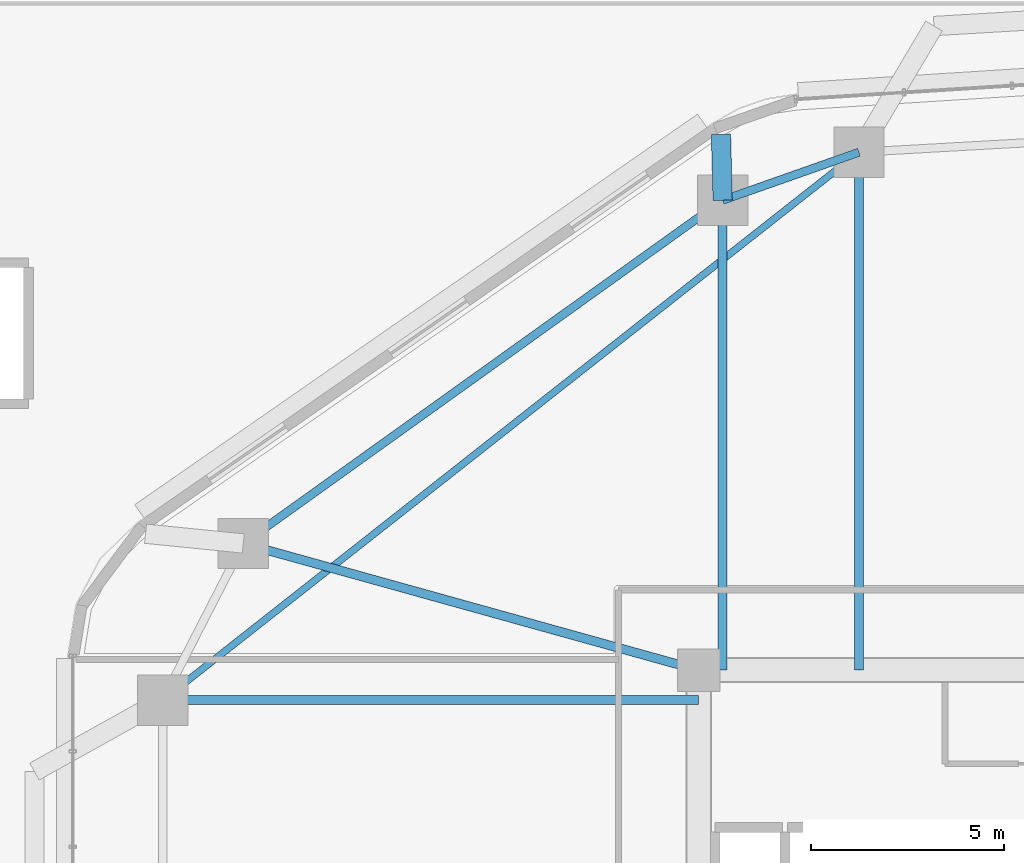
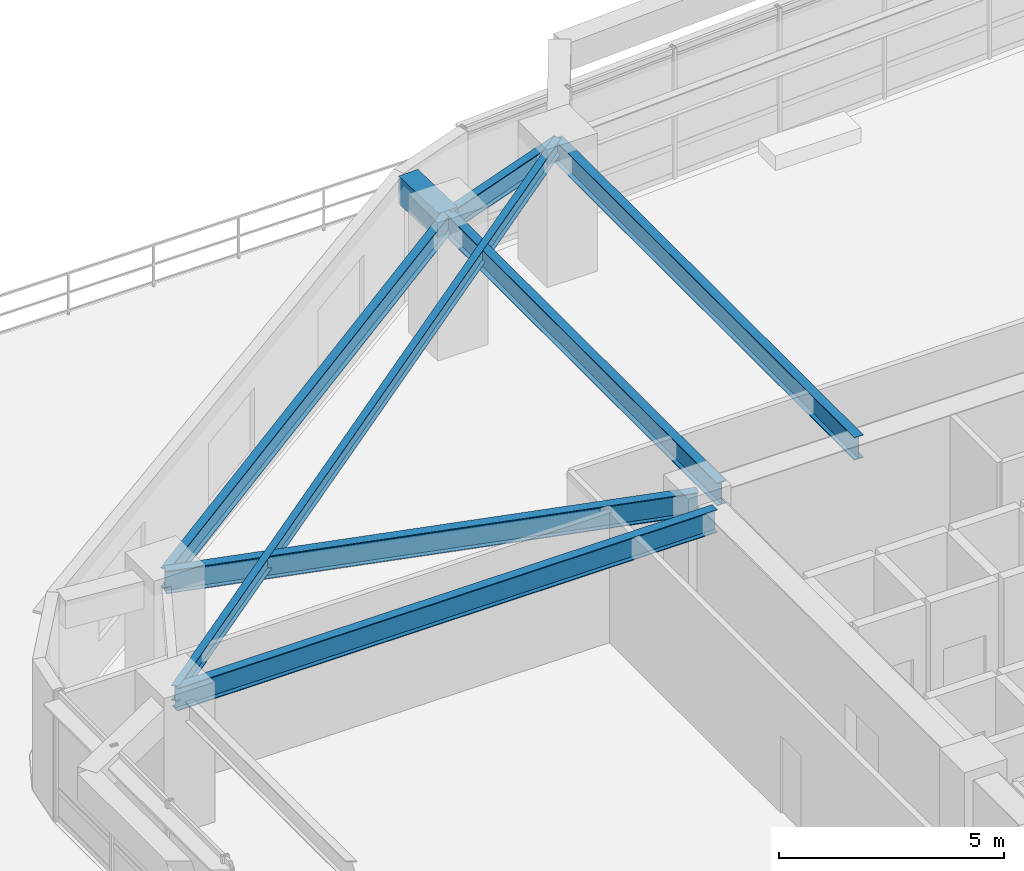
# One storey, part 7 of 20: 8 beams.
"""IFC4 building model written with IfcOpenShell, lengths in metres."""

from ifc_helpers import new_model, si_unit, direction, frame, origin, origin_2d, place, context, subcontext, project, spatial, rectangle, i_section, extrude, material, material_profile, profile_set, type_object, element, save


model = new_model("IFC4")

# Units and contexts
model_context = context("Model", 3, precision=1e-05, world=origin(), true_north=direction((0.0, 1.0)))
body_context = subcontext(model_context, "Body", "Model", "MODEL_VIEW")
ifc_project = project(units=[si_unit("LENGTHUNIT", "METRE"), si_unit("AREAUNIT", "SQUARE_METRE"), si_unit("VOLUMEUNIT", "CUBIC_METRE"), si_unit("PLANEANGLEUNIT", "RADIAN"), si_unit("MASSUNIT", "GRAM", prefix="KILO")], contexts=[model_context])

# Site, building, storey
site_placement = place(None, origin())
site = spatial("IfcSite", under=ifc_project, at=site_placement, CompositionType="ELEMENT")
building_placement = place(site_placement, origin())
building = spatial("IfcBuilding", under=site, at=building_placement, Name="Zulverin Broadcast Headquarters", CompositionType="ELEMENT")
storey_placement = place(building_placement, frame((0.0, 0.0, 25.0)))
storey = spatial("IfcBuildingStorey", under=building, at=storey_placement, Name="L05", CompositionType="ELEMENT", Elevation=25.0)

# Beams
ifc_material_1 = material(Name="Concrete C40/50", Category="concrete")
ifc_material_profile_1 = material_profile(ifc_material_1, rectangle(XDim=0.5, YDim=0.75, at=origin_2d()), Name="Concrete C40/50", Category="concrete")
ifc_profile_set_1 = profile_set([ifc_material_profile_1], Name="Concrete C40/50")
beam_type_1 = type_object("IfcBeamType", Name="BM-RC-500x750", PredefinedType="BEAM", material=ifc_profile_set_1)
beam_1_placement = place(storey_placement, frame((26.344482421875, 45.23828125, 3.14990234375), z_axis=(-0.025024345209, 0.999686842039, 0.0), x_axis=(-0.999686842039, -0.025024345209, 0.0)))
element("IfcBeam", 1, at=beam_1_placement, inside=storey, type_object=beam_type_1, Name="L06 Plate Overhang Back-Spanned Beam OVR-11", PredefinedType="BEAM", context=body_context, shape_type="SweptSolid", body=[
    extrude(rectangle(XDim=0.5, YDim=0.75, at=origin_2d()), origin(), (0.0, 0.0, 1.0), 1.707275390625),
])
ifc_material_2 = material(Name="Structural steel S355JR", Category="steel")
ifc_material_profile_2 = material_profile(ifc_material_2, i_section(OverallWidth=0.179443359375, OverallDepth=0.412841796875, WebThickness=0.009521484375, FlangeThickness=0.01611328125, at=origin_2d()), Name="Structural steel S355JR", Category="steel")
ifc_profile_set_2 = profile_set([ifc_material_profile_2], Name="Structural steel S355JR")
beam_type_2 = type_object("IfcBeamType", Name="BM-UB-406", PredefinedType="JOIST", material=ifc_profile_set_2)
beam_2_placement = place(storey_placement, frame((29.873779296875, 46.482177734375, 3.318603515625), z_axis=(-0.78583902739, -0.618431098047, 0.0), x_axis=(0.618431098047, -0.78583902739, 0.0)))
element("IfcBeam", 2, at=beam_2_placement, inside=storey, type_object=beam_type_2, Name="L05 Chordal Floor Joist J-03", PredefinedType="JOIST", context=body_context, shape_type="SweptSolid", body=[
    extrude(i_section(OverallWidth=0.179443359375, OverallDepth=0.412841796875, WebThickness=0.009521484375, FlangeThickness=0.01611328125, at=origin_2d()), origin(), (0.0, 0.0, 1.0), 22.935546875),
])
ifc_material_profile_3 = material_profile(ifc_material_2, i_section(OverallWidth=0.2119140625, OverallDepth=0.54443359375, WebThickness=0.0126953125, FlangeThickness=0.021240234375, at=origin_2d()), Name="Structural steel S355JR", Category="steel")
ifc_profile_set_3 = profile_set([ifc_material_profile_3], Name="Structural steel S355JR")
beam_type_3 = type_object("IfcBeamType", Name="BM-UB-533", PredefinedType="SPANDREL", material=ifc_profile_set_3)
beam_3_placement = place(storey_placement, frame((29.873779296875, 46.482177734375, 3.252685546875), z_axis=(-0.943135983398, -0.332407155189, 0.0), x_axis=(0.332407155189, -0.943135983398, 0.0)))
element("IfcBeam", 3, at=beam_3_placement, inside=storey, type_object=beam_type_3, Name="L05 Perimeter Spandrel Beam SP-10", PredefinedType="SPANDREL", context=body_context, shape_type="SweptSolid", body=[
    extrude(i_section(OverallWidth=0.2119140625, OverallDepth=0.54443359375, WebThickness=0.0126953125, FlangeThickness=0.021240234375, at=origin_2d()), origin(), (0.0, 0.0, 1.0), 3.7421875),
])
beam_4_placement = place(storey_placement, frame((26.344482421875, 45.23828125, 3.252685546875), z_axis=(-0.813109374453, -0.582110938891, 0.0), x_axis=(0.582110938891, -0.813109374453, 0.0)))
element("IfcBeam", 4, at=beam_4_placement, inside=storey, type_object=beam_type_3, Name="L05 Perimeter Spandrel Beam SP-11", PredefinedType="SPANDREL", context=body_context, shape_type="SweptSolid", body=[
    extrude(i_section(OverallWidth=0.2119140625, OverallDepth=0.54443359375, WebThickness=0.0126953125, FlangeThickness=0.021240234375, at=origin_2d()), origin(), (0.0, 0.0, 1.0), 15.2626953125),
])
ifc_material_profile_4 = material_profile(ifc_material_2, i_section(OverallWidth=0.230224609375, OverallDepth=0.6171875, WebThickness=0.01318359375, FlangeThickness=0.022216796875, at=origin_2d()), Name="Structural steel S355JR", Category="steel")
ifc_profile_set_4 = profile_set([ifc_material_profile_4], Name="Structural steel S355JR")
beam_type_4 = type_object("IfcBeamType", Name="BM-UB-610", PredefinedType="BEAM", material=ifc_profile_set_4)
beam_5_placement = place(storey_placement, frame((29.873779296875, 33.074951171875, 3.21630859375), z_axis=(0.0, 1.0, 0.0), x_axis=(-1.0, 0.0, 0.0)))
element("IfcBeam", 5, at=beam_5_placement, inside=storey, type_object=beam_type_4, Name="L05 Radial Primary Floor Beam RB-10", PredefinedType="BEAM", context=body_context, shape_type="SweptSolid", body=[
    extrude(i_section(OverallWidth=0.230224609375, OverallDepth=0.6171875, WebThickness=0.01318359375, FlangeThickness=0.022216796875, at=origin_2d()), origin(), (0.0, 0.0, 1.0), 13.4072265625),
])
beam_6_placement = place(storey_placement, frame((26.344482421875, 33.074951171875, 3.21630859375), z_axis=(0.0, 1.0, 0.0), x_axis=(-1.0, 0.0, 0.0)))
element("IfcBeam", 6, at=beam_6_placement, inside=storey, type_object=beam_type_4, Name="L05 Radial Primary Floor Beam RB-11", PredefinedType="BEAM", context=body_context, shape_type="SweptSolid", body=[
    extrude(i_section(OverallWidth=0.230224609375, OverallDepth=0.6171875, WebThickness=0.01318359375, FlangeThickness=0.022216796875, at=origin_2d()), origin(), (0.0, 0.0, 1.0), 12.163330078125),
])
beam_7_placement = place(storey_placement, frame((25.72509765625, 33.074951171875, 3.21630859375), z_axis=(-0.963442133037, 0.267916509922, 0.0), x_axis=(-0.267916509922, -0.963442133037, 0.0)))
element("IfcBeam", 7, at=beam_7_placement, inside=storey, type_object=beam_type_4, Name="L05 Radial Primary Floor Beam RB-12", PredefinedType="BEAM", context=body_context, shape_type="SweptSolid", body=[
    extrude(i_section(OverallWidth=0.230224609375, OverallDepth=0.6171875, WebThickness=0.01318359375, FlangeThickness=0.022216796875, at=origin_2d()), origin(), (0.0, 0.0, 1.0), 12.23828125),
])
beam_8_placement = place(storey_placement, frame((25.72509765625, 32.298095703125, 3.21630859375), z_axis=(-1.0, 0.0, 0.0), x_axis=(0.0, -1.0, 0.0)))
element("IfcBeam", 8, at=beam_8_placement, inside=storey, type_object=beam_type_4, Name="L05 Radial Primary Floor Beam RB-13", PredefinedType="BEAM", context=body_context, shape_type="SweptSolid", body=[
    extrude(i_section(OverallWidth=0.230224609375, OverallDepth=0.6171875, WebThickness=0.01318359375, FlangeThickness=0.022216796875, at=origin_2d()), origin(), (0.0, 0.0, 1.0), 13.875),
])

save(model, "model.ifc")
